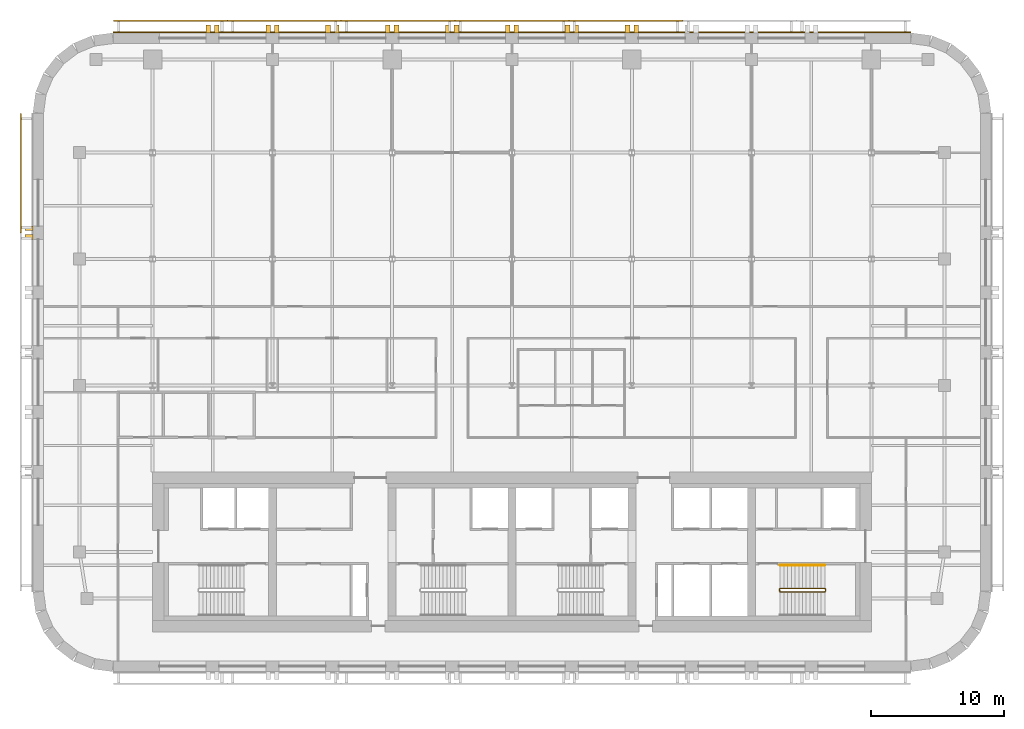
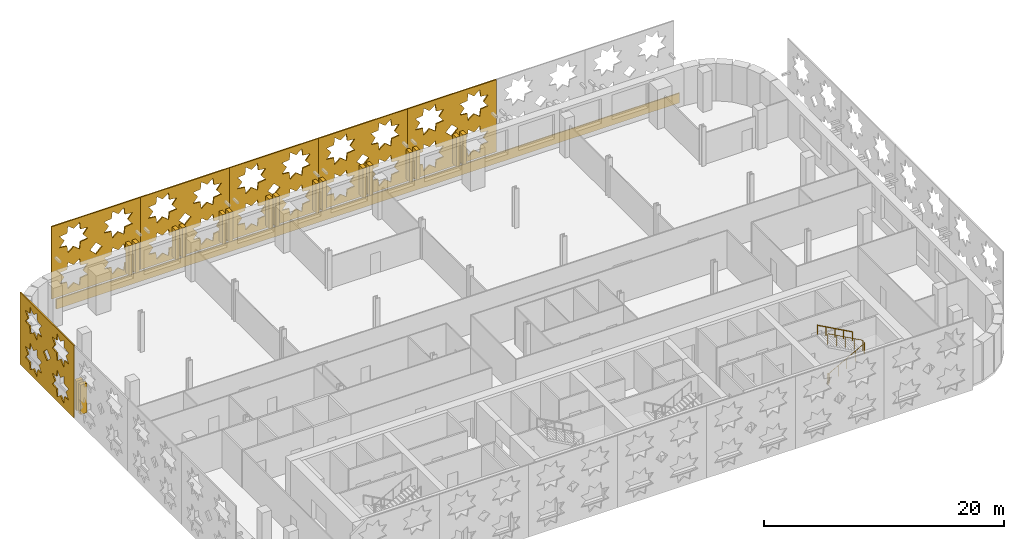
# One storey, part 11 of 12: 25 coverings, 2 railings.
"""IFC4 building model written with IfcOpenShell, lengths in metres."""

from ifc_helpers import new_model, si_unit, direction, frame, origin, origin_2d, place, context, subcontext, project, spatial, polyline, circle, outline, extrude, material, layer, layer_set, type_object, element, save


model = new_model("IFC4")

# Units and contexts
model_context = context("Model", 3, precision=1e-05, world=origin(), true_north=direction((0.0, 1.0)))
body_context = subcontext(model_context, "Body", "Model", "MODEL_VIEW")
ifc_project = project(units=[si_unit("LENGTHUNIT", "METRE"), si_unit("AREAUNIT", "SQUARE_METRE"), si_unit("VOLUMEUNIT", "CUBIC_METRE"), si_unit("PLANEANGLEUNIT", "RADIAN"), si_unit("MASSUNIT", "GRAM", prefix="KILO")], contexts=[model_context])

# Site, building, storey
site_placement = place(None, origin())
site = spatial("IfcSite", under=ifc_project, at=site_placement, CompositionType="ELEMENT")
building_placement = place(site_placement, origin())
building = spatial("IfcBuilding", under=site, at=building_placement, Name="Zellij Exchange Tower", CompositionType="ELEMENT")
storey_placement = place(building_placement, frame((0.0, 0.0, 196.5)))
storey = spatial("IfcBuildingStorey", under=building, at=storey_placement, Name="L45", CompositionType="ELEMENT", Elevation=196.5)

# Railings
ifc_material_1 = material(Name="Stainless steel", Category="steel")
railing_type_1 = type_object("IfcRailingType", Name="CORE-RG stair guard", PredefinedType="GUARDRAIL", material=ifc_material_1)
railing_1_placement = place(storey_placement, frame((20.10009765625, -10.949951171875, 0.0)))
element("IfcRailing", 1, at=railing_1_placement, inside=storey, type_object=railing_type_1, Name="ST4 stair guard L45", PredefinedType="GUARDRAIL", context=body_context, shape_type="SweptSolid", body=[
    extrude(circle(Radius=0.02392578125, at=origin_2d()), frame((0.0, 0.0, 1.076171875), z_axis=(0.0, 1.0, 0.0), x_axis=(-1.0, 0.0, 0.0)), (0.0, 0.0, 1.0), 0.14990234375),
    extrude(circle(Radius=0.02392578125, at=origin_2d()), frame((0.0, 0.14990234375, 1.076171875), z_axis=(0.193691321961, -0.777613689637, 0.598164376644), x_axis=(0.970351222016, 0.241699205484, 0.0)), (0.0, 0.0, 1.0), 0.257080078125),
    extrude(circle(Radius=0.02392578125, at=origin_2d()), frame((0.0498046875, -0.050048828125, 1.22998046875), z_axis=(0.876421534553, 0.0, 0.481544695509), x_axis=(0.0, 1.0, 0.0)), (0.0, 0.0, 1.0), 3.833984375),
    extrude(circle(Radius=0.02392578125, at=origin_2d()), frame((3.409912109375, -0.050048828125, 3.076171875), z_axis=(0.707106781187, 0.707106781187, 0.0), x_axis=(-0.707106781187, 0.707106781187, 0.0)), (0.0, 0.0, 1.0), 0.07080078125),
    extrude(circle(Radius=0.02392578125, at=origin_2d()), frame((3.4599609375, 0.0, 3.076171875), z_axis=(0.0, 1.0, 0.0), x_axis=(-1.0, 0.0, 0.0)), (0.0, 0.0, 1.0), 0.14990234375),
    extrude(circle(Radius=0.02392578125, at=origin_2d()), frame((3.4599609375, 0.14990234375, 3.076171875), z_axis=(-0.295599637079, 0.295599637079, 0.908428152975), x_axis=(-0.707106781187, -0.707106781187, 0.0)), (0.0, 0.0, 1.0), 0.16943359375),
    extrude(circle(Radius=0.02392578125, at=origin_2d()), frame((3.409912109375, 0.199951171875, 3.22998046875), z_axis=(-0.876421534553, 0.0, 0.481544695509), x_axis=(0.0, -1.0, 0.0)), (0.0, 0.0, 1.0), 3.833984375),
    extrude(circle(Radius=0.02099609375, at=origin_2d()), origin(), (0.0, 0.0, 1.0), 1.052001953125),
    extrude(circle(Radius=0.02099609375, at=origin_2d()), frame((0.0, 0.14990234375, 0.0)), (0.0, 0.0, 1.0), 1.052001953125),
    extrude(circle(Radius=0.02099609375, at=origin_2d()), frame((0.0498046875, -0.050048828125, 0.15380859375)), (0.0, 0.0, 1.0), 1.052001953125),
    extrude(circle(Radius=0.02099609375, at=origin_2d()), frame((0.889892578125, -0.050048828125, 0.615234375)), (0.0, 0.0, 1.0), 1.052001953125),
    extrude(circle(Radius=0.02099609375, at=origin_2d()), frame((1.72998046875, -0.050048828125, 1.076904296875)), (0.0, 0.0, 1.0), 1.052001953125),
    extrude(circle(Radius=0.02099609375, at=origin_2d()), frame((2.56982421875, -0.050048828125, 1.53857421875)), (0.0, 0.0, 1.0), 1.052001953125),
    extrude(circle(Radius=0.02099609375, at=origin_2d()), frame((3.409912109375, -0.050048828125, 2.0)), (0.0, 0.0, 1.0), 1.052001953125),
    extrude(circle(Radius=0.02099609375, at=origin_2d()), frame((3.4599609375, 0.0, 2.0)), (0.0, 0.0, 1.0), 1.052001953125),
    extrude(circle(Radius=0.02099609375, at=origin_2d()), frame((3.4599609375, 0.14990234375, 2.0)), (0.0, 0.0, 1.0), 1.052001953125),
    extrude(circle(Radius=0.02099609375, at=origin_2d()), frame((3.409912109375, 0.199951171875, 2.15380859375)), (0.0, 0.0, 1.0), 1.052001953125),
    extrude(circle(Radius=0.02099609375, at=origin_2d()), frame((2.56982421875, 0.199951171875, 2.615234375)), (0.0, 0.0, 1.0), 1.052001953125),
    extrude(circle(Radius=0.02099609375, at=origin_2d()), frame((1.72998046875, 0.199951171875, 3.076904296875)), (0.0, 0.0, 1.0), 1.052001953125),
    extrude(circle(Radius=0.02099609375, at=origin_2d()), frame((0.889892578125, 0.199951171875, 3.53857421875)), (0.0, 0.0, 1.0), 1.052001953125),
    extrude(circle(Radius=0.02099609375, at=origin_2d()), frame((0.0498046875, 0.199951171875, 4.0)), (0.0, 0.0, 1.0), 1.052001953125),
])
railing_type_2 = type_object("IfcRailingType", Name="CORE-RH stair handrail", PredefinedType="HANDRAIL", material=ifc_material_1)
railing_2_placement = place(storey_placement, frame((23.510009765625, -9.0, 2.15380859375)))
element("IfcRailing", 2, at=railing_2_placement, inside=storey, type_object=railing_type_2, Name="ST4 stair handrail L45", PredefinedType="HANDRAIL", context=body_context, shape_type="SweptSolid", body=[
    extrude(circle(Radius=0.02392578125, at=origin_2d()), frame((0.0, 0.0, 0.8759765625), z_axis=(-0.876421534553, 0.0, 0.481544695509), x_axis=(0.0, -1.0, 0.0)), (0.0, 0.0, 1.0), 3.833984375),
    extrude(circle(Radius=0.02099609375, at=origin_2d()), origin(), (0.0, 0.0, 1.0), 0.851806640625),
    extrude(circle(Radius=0.02099609375, at=origin_2d()), frame((-0.840087890625, 0.0, 0.46142578125)), (0.0, 0.0, 1.0), 0.851806640625),
    extrude(circle(Radius=0.02099609375, at=origin_2d()), frame((-1.68017578125, 0.0, 0.923095703125)), (0.0, 0.0, 1.0), 0.851806640625),
    extrude(circle(Radius=0.02099609375, at=origin_2d()), frame((-2.52001953125, 0.0, 1.384765625)), (0.0, 0.0, 1.0), 0.851806640625),
    extrude(circle(Radius=0.02099609375, at=origin_2d()), frame((-3.360107421875, 0.0, 1.84619140625)), (0.0, 0.0, 1.0), 0.851806640625),
])

# Coverings
ifc_material_2 = material(Name="Limestone cladding", Category="masonry")
covering_type_1 = type_object("IfcCoveringType", Name="ENV-CV3 Stone pier 350x600", PredefinedType="CLADDING", material=ifc_material_2)
covering_1_placement = place(storey_placement, frame((0.0, 0.0, 0.800048828125)))
element("IfcCovering", 3, at=covering_1_placement, inside=storey, type_object=covering_type_1, Name="Stone pier", PredefinedType="CLADDING", context=body_context, shape_type="SweptSolid", body=[
    extrude(outline(polyline([(9.5, 31.0), (9.14990234375, 31.0), (9.14990234375, 31.60009765625), (9.5, 31.60009765625), (9.5, 31.0)])), origin(), (0.0, 0.0, 1.0), 3.0),
])
covering_2_placement = place(storey_placement, frame((0.0, 0.0, 0.800048828125)))
element("IfcCovering", 4, at=covering_2_placement, inside=storey, type_object=covering_type_1, Name="Stone pier", PredefinedType="CLADDING", context=body_context, shape_type="SweptSolid", body=[
    extrude(outline(polyline([(8.85009765625, 31.0), (8.5, 31.0), (8.5, 31.60009765625), (8.85009765625, 31.60009765625), (8.85009765625, 31.0)])), origin(), (0.0, 0.0, 1.0), 3.0),
])
covering_3_placement = place(storey_placement, frame((0.0, 0.0, 0.800048828125)))
element("IfcCovering", 5, at=covering_3_placement, inside=storey, type_object=covering_type_1, Name="Stone pier", PredefinedType="CLADDING", context=body_context, shape_type="SweptSolid", body=[
    extrude(outline(polyline([(5.0, 31.0), (4.64990234375, 31.0), (4.64990234375, 31.60009765625), (5.0, 31.60009765625), (5.0, 31.0)])), origin(), (0.0, 0.0, 1.0), 3.0),
])
covering_4_placement = place(storey_placement, frame((0.0, 0.0, 0.800048828125)))
element("IfcCovering", 6, at=covering_4_placement, inside=storey, type_object=covering_type_1, Name="Stone pier", PredefinedType="CLADDING", context=body_context, shape_type="SweptSolid", body=[
    extrude(outline(polyline([(4.35009765625, 31.0), (4.0, 31.0), (4.0, 31.60009765625), (4.35009765625, 31.60009765625), (4.35009765625, 31.0)])), origin(), (0.0, 0.0, 1.0), 3.0),
])
covering_5_placement = place(storey_placement, frame((0.0, 0.0, 0.800048828125)))
element("IfcCovering", 7, at=covering_5_placement, inside=storey, type_object=covering_type_1, Name="Stone pier", PredefinedType="CLADDING", context=body_context, shape_type="SweptSolid", body=[
    extrude(outline(polyline([(0.5, 31.0), (0.14990234375, 31.0), (0.14990234375, 31.60009765625), (0.5, 31.60009765625), (0.5, 31.0)])), origin(), (0.0, 0.0, 1.0), 3.0),
])
covering_6_placement = place(storey_placement, frame((0.0, 0.0, 0.800048828125)))
element("IfcCovering", 8, at=covering_6_placement, inside=storey, type_object=covering_type_1, Name="Stone pier", PredefinedType="CLADDING", context=body_context, shape_type="SweptSolid", body=[
    extrude(outline(polyline([(-0.14990234375, 31.0), (-0.5, 31.0), (-0.5, 31.60009765625), (-0.14990234375, 31.60009765625), (-0.14990234375, 31.0)])), origin(), (0.0, 0.0, 1.0), 3.0),
])
covering_7_placement = place(storey_placement, frame((0.0, 0.0, 0.800048828125)))
element("IfcCovering", 9, at=covering_7_placement, inside=storey, type_object=covering_type_1, Name="Stone pier", PredefinedType="CLADDING", context=body_context, shape_type="SweptSolid", body=[
    extrude(outline(polyline([(-4.0, 31.0), (-4.35009765625, 31.0), (-4.35009765625, 31.60009765625), (-4.0, 31.60009765625), (-4.0, 31.0)])), origin(), (0.0, 0.0, 1.0), 3.0),
])
covering_8_placement = place(storey_placement, frame((0.0, 0.0, 0.800048828125)))
element("IfcCovering", 10, at=covering_8_placement, inside=storey, type_object=covering_type_1, Name="Stone pier", PredefinedType="CLADDING", context=body_context, shape_type="SweptSolid", body=[
    extrude(outline(polyline([(-4.64990234375, 31.0), (-5.0, 31.0), (-5.0, 31.60009765625), (-4.64990234375, 31.60009765625), (-4.64990234375, 31.0)])), origin(), (0.0, 0.0, 1.0), 3.0),
])
covering_9_placement = place(storey_placement, frame((0.0, 0.0, 0.800048828125)))
element("IfcCovering", 11, at=covering_9_placement, inside=storey, type_object=covering_type_1, Name="Stone pier", PredefinedType="CLADDING", context=body_context, shape_type="SweptSolid", body=[
    extrude(outline(polyline([(-8.5, 31.0), (-8.85009765625, 31.0), (-8.85009765625, 31.60009765625), (-8.5, 31.60009765625), (-8.5, 31.0)])), origin(), (0.0, 0.0, 1.0), 3.0),
])
covering_10_placement = place(storey_placement, frame((0.0, 0.0, 0.800048828125)))
element("IfcCovering", 12, at=covering_10_placement, inside=storey, type_object=covering_type_1, Name="Stone pier", PredefinedType="CLADDING", context=body_context, shape_type="SweptSolid", body=[
    extrude(outline(polyline([(-9.14990234375, 31.0), (-9.5, 31.0), (-9.5, 31.60009765625), (-9.14990234375, 31.60009765625), (-9.14990234375, 31.0)])), origin(), (0.0, 0.0, 1.0), 3.0),
])
covering_11_placement = place(storey_placement, frame((0.0, 0.0, 0.800048828125)))
element("IfcCovering", 13, at=covering_11_placement, inside=storey, type_object=covering_type_1, Name="Stone pier", PredefinedType="CLADDING", context=body_context, shape_type="SweptSolid", body=[
    extrude(outline(polyline([(-13.0, 31.0), (-13.35009765625, 31.0), (-13.35009765625, 31.60009765625), (-13.0, 31.60009765625), (-13.0, 31.0)])), origin(), (0.0, 0.0, 1.0), 3.0),
])
covering_12_placement = place(storey_placement, frame((0.0, 0.0, 0.800048828125)))
element("IfcCovering", 14, at=covering_12_placement, inside=storey, type_object=covering_type_1, Name="Stone pier", PredefinedType="CLADDING", context=body_context, shape_type="SweptSolid", body=[
    extrude(outline(polyline([(-13.64990234375, 31.0), (-14.0, 31.0), (-14.0, 31.60009765625), (-13.64990234375, 31.60009765625), (-13.64990234375, 31.0)])), origin(), (0.0, 0.0, 1.0), 3.0),
])
covering_13_placement = place(storey_placement, frame((0.0, 0.0, 0.800048828125)))
element("IfcCovering", 15, at=covering_13_placement, inside=storey, type_object=covering_type_1, Name="Stone pier", PredefinedType="CLADDING", context=body_context, shape_type="SweptSolid", body=[
    extrude(outline(polyline([(-17.5, 31.0), (-17.85009765625, 31.0), (-17.85009765625, 31.60009765625), (-17.5, 31.60009765625), (-17.5, 31.0)])), origin(), (0.0, 0.0, 1.0), 3.0),
])
covering_14_placement = place(storey_placement, frame((0.0, 0.0, 0.800048828125)))
element("IfcCovering", 16, at=covering_14_placement, inside=storey, type_object=covering_type_1, Name="Stone pier", PredefinedType="CLADDING", context=body_context, shape_type="SweptSolid", body=[
    extrude(outline(polyline([(-18.14990234375, 31.0), (-18.5, 31.0), (-18.5, 31.60009765625), (-18.14990234375, 31.60009765625), (-18.14990234375, 31.0)])), origin(), (0.0, 0.0, 1.0), 3.0),
])
covering_15_placement = place(storey_placement, frame((0.0, 0.0, 0.800048828125)))
element("IfcCovering", 17, at=covering_15_placement, inside=storey, type_object=covering_type_1, Name="Stone pier", PredefinedType="CLADDING", context=body_context, shape_type="SweptSolid", body=[
    extrude(outline(polyline([(-22.0, 31.0), (-22.35009765625, 31.0), (-22.35009765625, 31.60009765625), (-22.0, 31.60009765625), (-22.0, 31.0)])), origin(), (0.0, 0.0, 1.0), 3.0),
])
covering_16_placement = place(storey_placement, frame((0.0, 0.0, 0.800048828125)))
element("IfcCovering", 18, at=covering_16_placement, inside=storey, type_object=covering_type_1, Name="Stone pier", PredefinedType="CLADDING", context=body_context, shape_type="SweptSolid", body=[
    extrude(outline(polyline([(-22.64990234375, 31.0), (-23.0, 31.0), (-23.0, 31.60009765625), (-22.64990234375, 31.60009765625), (-22.64990234375, 31.0)])), origin(), (0.0, 0.0, 1.0), 3.0),
])
covering_17_placement = place(storey_placement, frame((0.0, 0.0, 0.800048828125)))
element("IfcCovering", 19, at=covering_17_placement, inside=storey, type_object=covering_type_1, Name="Stone pier", PredefinedType="CLADDING", context=body_context, shape_type="SweptSolid", body=[
    extrude(outline(polyline([(-36.0, 16.48681640625), (-36.0, 16.136962890625), (-36.60009765625, 16.136962890625), (-36.60009765625, 16.48681640625), (-36.0, 16.48681640625)])), origin(), (0.0, 0.0, 1.0), 3.0),
])
covering_18_placement = place(storey_placement, frame((0.0, 0.0, 0.800048828125)))
element("IfcCovering", 20, at=covering_18_placement, inside=storey, type_object=covering_type_1, Name="Stone pier", PredefinedType="CLADDING", context=body_context, shape_type="SweptSolid", body=[
    extrude(outline(polyline([(-36.0, 15.8369140625), (-36.0, 15.48681640625), (-36.60009765625, 15.48681640625), (-36.60009765625, 15.8369140625), (-36.0, 15.8369140625)])), origin(), (0.0, 0.0, 1.0), 3.0),
])
ifc_layer_1 = layer(ifc_material_2, 0.10009765625)
ifc_layer_set_1 = layer_set([ifc_layer_1], Name="Limestone cladding")
covering_type_2 = type_object("IfcCoveringType", Name="ENV-CV9 Stone spandrel band 100", PredefinedType="CLADDING", material=ifc_layer_set_1)
covering_19_placement = place(storey_placement, frame((0.0, 0.0, -0.199951171875)))
element("IfcCovering", 21, at=covering_19_placement, inside=storey, type_object=covering_type_2, Name="Stone spandrel band", PredefinedType="CLADDING", context=body_context, shape_type="SweptSolid", body=[
    extrude(outline(polyline([(29.973876953125, 31.0), (-29.973876953125, 31.0), (-29.980224609375, 31.10009765625), (29.980224609375, 31.10009765625), (29.973876953125, 31.0)])), origin(), (0.0, 0.0, 1.0), 1.0),
])
ifc_material_3 = material(Name="Limestone screen", Category="masonry")
ifc_layer_2 = layer(ifc_material_3, 0.1201171875)
ifc_layer_set_2 = layer_set([ifc_layer_2], Name="Limestone screen")
covering_type_3 = type_object("IfcCoveringType", Name="ENV-SC1 Pierced stone screen 120", PredefinedType="USERDEFINED", material=ifc_layer_set_2)
covering_20_placement = place(storey_placement, frame((-36.909912109375, 24.947509765625, 0.300048828125), z_axis=(0.0, 0.0, 1.0), x_axis=(0.0, -1.0, 0.0)))
element("IfcCovering", 22, at=covering_20_placement, inside=storey, type_object=covering_type_3, Name="Pierced stone screen", ObjectType="SCREEN", PredefinedType="USERDEFINED", context=body_context, shape_type="SweptSolid", body=[
    extrude(outline(polyline([(0.0, 0.0), (8.973876953125, 0.0), (8.973876953125, 7.35009765625), (0.0, 7.35009765625), (0.0, 0.0)]), holes=[polyline([(3.6015625, 2.39990234375), (2.887939453125, 2.48193359375), (2.805908203125, 3.195556640625), (2.243408203125, 2.748779296875), (1.680908203125, 3.195556640625), (1.59912109375, 2.48193359375), (0.88525390625, 2.39990234375), (1.33203125, 1.83740234375), (0.88525390625, 1.27490234375), (1.59912109375, 1.193115234375), (1.680908203125, 0.4794921875), (2.243408203125, 0.926025390625), (2.805908203125, 0.4794921875), (2.887939453125, 1.193115234375), (3.6015625, 1.27490234375), (3.15478515625, 1.83740234375), (3.6015625, 2.39990234375)]), polyline([(3.6015625, 6.074951171875), (2.887939453125, 6.156982421875), (2.805908203125, 6.87060546875), (2.243408203125, 6.423828125), (1.680908203125, 6.87060546875), (1.59912109375, 6.156982421875), (0.88525390625, 6.074951171875), (1.33203125, 5.512451171875), (0.88525390625, 4.949951171875), (1.59912109375, 4.867919921875), (1.680908203125, 4.154296875), (2.243408203125, 4.60107421875), (2.805908203125, 4.154296875), (2.887939453125, 4.867919921875), (3.6015625, 4.949951171875), (3.15478515625, 5.512451171875), (3.6015625, 6.074951171875)]), polyline([(8.08837890625, 2.39990234375), (7.374755859375, 2.48193359375), (7.29296875, 3.195556640625), (6.730224609375, 2.748779296875), (6.167724609375, 3.195556640625), (6.0859375, 2.48193359375), (5.372314453125, 2.39990234375), (5.81884765625, 1.83740234375), (5.372314453125, 1.27490234375), (6.0859375, 1.193115234375), (6.167724609375, 0.4794921875), (6.730224609375, 0.926025390625), (7.29296875, 0.4794921875), (7.374755859375, 1.193115234375), (8.08837890625, 1.27490234375), (7.6416015625, 1.83740234375), (8.08837890625, 2.39990234375)]), polyline([(8.08837890625, 6.074951171875), (7.374755859375, 6.156982421875), (7.29296875, 6.87060546875), (6.730224609375, 6.423828125), (6.167724609375, 6.87060546875), (6.0859375, 6.156982421875), (5.372314453125, 6.074951171875), (5.81884765625, 5.512451171875), (5.372314453125, 4.949951171875), (6.0859375, 4.867919921875), (6.167724609375, 4.154296875), (6.730224609375, 4.60107421875), (7.29296875, 4.154296875), (7.374755859375, 4.867919921875), (8.08837890625, 4.949951171875), (7.6416015625, 5.512451171875), (8.08837890625, 6.074951171875)]), polyline([(5.074951171875, 3.675048828125), (4.48681640625, 4.262939453125), (3.89892578125, 3.675048828125), (4.48681640625, 3.0869140625), (5.074951171875, 3.675048828125)])]), frame((0.0, 0.06005859375, 0.0), z_axis=(0.0, -1.0, 0.0), x_axis=(1.0, 0.0, 0.0)), (0.0, 0.0, 1.0), 0.1201171875),
])
covering_21_placement = place(storey_placement, frame((12.834716796875, 31.909912109375, 0.300048828125), z_axis=(0.0, 0.0, 1.0), x_axis=(-1.0, 0.0, 0.0)))
element("IfcCovering", 23, at=covering_21_placement, inside=storey, type_object=covering_type_3, Name="Pierced stone screen", ObjectType="SCREEN", PredefinedType="USERDEFINED", context=body_context, shape_type="SweptSolid", body=[
    extrude(outline(polyline([(0.0, 0.0), (8.556396484375, 0.0), (8.556396484375, 7.35009765625), (0.0, 7.35009765625), (0.0, 0.0)]), holes=[polyline([(3.497314453125, 2.39990234375), (2.78369140625, 2.48193359375), (2.70166015625, 3.195556640625), (2.13916015625, 2.748779296875), (1.57666015625, 3.195556640625), (1.49462890625, 2.48193359375), (0.781005859375, 2.39990234375), (1.227783203125, 1.83740234375), (0.781005859375, 1.27490234375), (1.49462890625, 1.193115234375), (1.57666015625, 0.4794921875), (2.13916015625, 0.926025390625), (2.70166015625, 0.4794921875), (2.78369140625, 1.193115234375), (3.497314453125, 1.27490234375), (3.050537109375, 1.83740234375), (3.497314453125, 2.39990234375)]), polyline([(3.497314453125, 6.074951171875), (2.78369140625, 6.156982421875), (2.70166015625, 6.87060546875), (2.13916015625, 6.423828125), (1.57666015625, 6.87060546875), (1.49462890625, 6.156982421875), (0.781005859375, 6.074951171875), (1.227783203125, 5.512451171875), (0.781005859375, 4.949951171875), (1.49462890625, 4.867919921875), (1.57666015625, 4.154296875), (2.13916015625, 4.60107421875), (2.70166015625, 4.154296875), (2.78369140625, 4.867919921875), (3.497314453125, 4.949951171875), (3.050537109375, 5.512451171875), (3.497314453125, 6.074951171875)]), polyline([(7.775390625, 2.39990234375), (7.061767578125, 2.48193359375), (6.97998046875, 3.195556640625), (6.417236328125, 2.748779296875), (5.854736328125, 3.195556640625), (5.77294921875, 2.48193359375), (5.05908203125, 2.39990234375), (5.505859375, 1.83740234375), (5.05908203125, 1.27490234375), (5.77294921875, 1.193115234375), (5.854736328125, 0.4794921875), (6.417236328125, 0.926025390625), (6.97998046875, 0.4794921875), (7.061767578125, 1.193115234375), (7.775390625, 1.27490234375), (7.32861328125, 1.83740234375), (7.775390625, 2.39990234375)]), polyline([(7.775390625, 6.074951171875), (7.061767578125, 6.156982421875), (6.97998046875, 6.87060546875), (6.417236328125, 6.423828125), (5.854736328125, 6.87060546875), (5.77294921875, 6.156982421875), (5.05908203125, 6.074951171875), (5.505859375, 5.512451171875), (5.05908203125, 4.949951171875), (5.77294921875, 4.867919921875), (5.854736328125, 4.154296875), (6.417236328125, 4.60107421875), (6.97998046875, 4.154296875), (7.061767578125, 4.867919921875), (7.775390625, 4.949951171875), (7.32861328125, 5.512451171875), (7.775390625, 6.074951171875)]), polyline([(4.8662109375, 3.675048828125), (4.2783203125, 4.262939453125), (3.690185546875, 3.675048828125), (4.2783203125, 3.0869140625), (4.8662109375, 3.675048828125)])]), frame((0.0, 0.06005859375, 0.0), z_axis=(0.0, -1.0, 0.0), x_axis=(1.0, 0.0, 0.0)), (0.0, 0.0, 1.0), 0.1201171875),
])
covering_22_placement = place(storey_placement, frame((4.2783203125, 31.909912109375, 0.300048828125), z_axis=(0.0, 0.0, 1.0), x_axis=(-1.0, 0.0, 0.0)))
element("IfcCovering", 24, at=covering_22_placement, inside=storey, type_object=covering_type_3, Name="Pierced stone screen", ObjectType="SCREEN", PredefinedType="USERDEFINED", context=body_context, shape_type="SweptSolid", body=[
    extrude(outline(polyline([(0.0, 0.0), (8.556396484375, 0.0), (8.556396484375, 7.35009765625), (0.0, 7.35009765625), (0.0, 0.0)]), holes=[polyline([(3.497314453125, 2.39990234375), (2.78369140625, 2.48193359375), (2.70166015625, 3.195556640625), (2.13916015625, 2.748779296875), (1.57666015625, 3.195556640625), (1.49462890625, 2.48193359375), (0.781005859375, 2.39990234375), (1.227783203125, 1.83740234375), (0.781005859375, 1.27490234375), (1.49462890625, 1.193115234375), (1.57666015625, 0.4794921875), (2.13916015625, 0.926025390625), (2.70166015625, 0.4794921875), (2.78369140625, 1.193115234375), (3.497314453125, 1.27490234375), (3.050537109375, 1.83740234375), (3.497314453125, 2.39990234375)]), polyline([(3.497314453125, 6.074951171875), (2.78369140625, 6.156982421875), (2.70166015625, 6.87060546875), (2.13916015625, 6.423828125), (1.57666015625, 6.87060546875), (1.49462890625, 6.156982421875), (0.781005859375, 6.074951171875), (1.227783203125, 5.512451171875), (0.781005859375, 4.949951171875), (1.49462890625, 4.867919921875), (1.57666015625, 4.154296875), (2.13916015625, 4.60107421875), (2.70166015625, 4.154296875), (2.78369140625, 4.867919921875), (3.497314453125, 4.949951171875), (3.050537109375, 5.512451171875), (3.497314453125, 6.074951171875)]), polyline([(7.775390625, 2.39990234375), (7.061767578125, 2.48193359375), (6.97998046875, 3.195556640625), (6.417236328125, 2.748779296875), (5.854736328125, 3.195556640625), (5.77294921875, 2.48193359375), (5.05908203125, 2.39990234375), (5.505859375, 1.83740234375), (5.05908203125, 1.27490234375), (5.77294921875, 1.193115234375), (5.854736328125, 0.4794921875), (6.417236328125, 0.926025390625), (6.97998046875, 0.4794921875), (7.061767578125, 1.193115234375), (7.775390625, 1.27490234375), (7.32861328125, 1.83740234375), (7.775390625, 2.39990234375)]), polyline([(7.775390625, 6.074951171875), (7.061767578125, 6.156982421875), (6.97998046875, 6.87060546875), (6.417236328125, 6.423828125), (5.854736328125, 6.87060546875), (5.77294921875, 6.156982421875), (5.05908203125, 6.074951171875), (5.505859375, 5.512451171875), (5.05908203125, 4.949951171875), (5.77294921875, 4.867919921875), (5.854736328125, 4.154296875), (6.417236328125, 4.60107421875), (6.97998046875, 4.154296875), (7.061767578125, 4.867919921875), (7.775390625, 4.949951171875), (7.32861328125, 5.512451171875), (7.775390625, 6.074951171875)]), polyline([(4.8662109375, 3.675048828125), (4.2783203125, 4.262939453125), (3.690185546875, 3.675048828125), (4.2783203125, 3.0869140625), (4.8662109375, 3.675048828125)])]), frame((0.0, 0.06005859375, 0.0), z_axis=(0.0, -1.0, 0.0), x_axis=(1.0, 0.0, 0.0)), (0.0, 0.0, 1.0), 0.1201171875),
])
covering_23_placement = place(storey_placement, frame((-4.2783203125, 31.909912109375, 0.300048828125), z_axis=(0.0, 0.0, 1.0), x_axis=(-1.0, 0.0, 0.0)))
element("IfcCovering", 25, at=covering_23_placement, inside=storey, type_object=covering_type_3, Name="Pierced stone screen", ObjectType="SCREEN", PredefinedType="USERDEFINED", context=body_context, shape_type="SweptSolid", body=[
    extrude(outline(polyline([(0.0, 0.0), (8.556396484375, 0.0), (8.556396484375, 7.35009765625), (0.0, 7.35009765625), (0.0, 0.0)]), holes=[polyline([(3.497314453125, 2.39990234375), (2.78369140625, 2.48193359375), (2.70166015625, 3.195556640625), (2.13916015625, 2.748779296875), (1.57666015625, 3.195556640625), (1.49462890625, 2.48193359375), (0.781005859375, 2.39990234375), (1.227783203125, 1.83740234375), (0.781005859375, 1.27490234375), (1.49462890625, 1.193115234375), (1.57666015625, 0.4794921875), (2.13916015625, 0.926025390625), (2.70166015625, 0.4794921875), (2.78369140625, 1.193115234375), (3.497314453125, 1.27490234375), (3.050537109375, 1.83740234375), (3.497314453125, 2.39990234375)]), polyline([(3.497314453125, 6.074951171875), (2.78369140625, 6.156982421875), (2.70166015625, 6.87060546875), (2.13916015625, 6.423828125), (1.57666015625, 6.87060546875), (1.49462890625, 6.156982421875), (0.781005859375, 6.074951171875), (1.227783203125, 5.512451171875), (0.781005859375, 4.949951171875), (1.49462890625, 4.867919921875), (1.57666015625, 4.154296875), (2.13916015625, 4.60107421875), (2.70166015625, 4.154296875), (2.78369140625, 4.867919921875), (3.497314453125, 4.949951171875), (3.050537109375, 5.512451171875), (3.497314453125, 6.074951171875)]), polyline([(7.775390625, 2.39990234375), (7.061767578125, 2.48193359375), (6.97998046875, 3.195556640625), (6.417236328125, 2.748779296875), (5.854736328125, 3.195556640625), (5.77294921875, 2.48193359375), (5.05908203125, 2.39990234375), (5.505859375, 1.83740234375), (5.05908203125, 1.27490234375), (5.77294921875, 1.193115234375), (5.854736328125, 0.4794921875), (6.417236328125, 0.926025390625), (6.97998046875, 0.4794921875), (7.061767578125, 1.193115234375), (7.775390625, 1.27490234375), (7.32861328125, 1.83740234375), (7.775390625, 2.39990234375)]), polyline([(7.775390625, 6.074951171875), (7.061767578125, 6.156982421875), (6.97998046875, 6.87060546875), (6.417236328125, 6.423828125), (5.854736328125, 6.87060546875), (5.77294921875, 6.156982421875), (5.05908203125, 6.074951171875), (5.505859375, 5.512451171875), (5.05908203125, 4.949951171875), (5.77294921875, 4.867919921875), (5.854736328125, 4.154296875), (6.417236328125, 4.60107421875), (6.97998046875, 4.154296875), (7.061767578125, 4.867919921875), (7.775390625, 4.949951171875), (7.32861328125, 5.512451171875), (7.775390625, 6.074951171875)]), polyline([(4.8662109375, 3.675048828125), (4.2783203125, 4.262939453125), (3.690185546875, 3.675048828125), (4.2783203125, 3.0869140625), (4.8662109375, 3.675048828125)])]), frame((0.0, 0.06005859375, 0.0), z_axis=(0.0, -1.0, 0.0), x_axis=(1.0, 0.0, 0.0)), (0.0, 0.0, 1.0), 0.1201171875),
])
covering_24_placement = place(storey_placement, frame((-12.834716796875, 31.909912109375, 0.300048828125), z_axis=(0.0, 0.0, 1.0), x_axis=(-1.0, 0.0, 0.0)))
element("IfcCovering", 26, at=covering_24_placement, inside=storey, type_object=covering_type_3, Name="Pierced stone screen", ObjectType="SCREEN", PredefinedType="USERDEFINED", context=body_context, shape_type="SweptSolid", body=[
    extrude(outline(polyline([(0.0, 0.0), (8.556396484375, 0.0), (8.556396484375, 7.35009765625), (0.0, 7.35009765625), (0.0, 0.0)]), holes=[polyline([(3.497314453125, 2.39990234375), (2.78369140625, 2.48193359375), (2.70166015625, 3.195556640625), (2.13916015625, 2.748779296875), (1.57666015625, 3.195556640625), (1.49462890625, 2.48193359375), (0.781005859375, 2.39990234375), (1.227783203125, 1.83740234375), (0.781005859375, 1.27490234375), (1.49462890625, 1.193115234375), (1.57666015625, 0.4794921875), (2.13916015625, 0.926025390625), (2.70166015625, 0.4794921875), (2.78369140625, 1.193115234375), (3.497314453125, 1.27490234375), (3.050537109375, 1.83740234375), (3.497314453125, 2.39990234375)]), polyline([(3.497314453125, 6.074951171875), (2.78369140625, 6.156982421875), (2.70166015625, 6.87060546875), (2.13916015625, 6.423828125), (1.57666015625, 6.87060546875), (1.49462890625, 6.156982421875), (0.781005859375, 6.074951171875), (1.227783203125, 5.512451171875), (0.781005859375, 4.949951171875), (1.49462890625, 4.867919921875), (1.57666015625, 4.154296875), (2.13916015625, 4.60107421875), (2.70166015625, 4.154296875), (2.78369140625, 4.867919921875), (3.497314453125, 4.949951171875), (3.050537109375, 5.512451171875), (3.497314453125, 6.074951171875)]), polyline([(7.775390625, 2.39990234375), (7.061767578125, 2.48193359375), (6.97998046875, 3.195556640625), (6.417236328125, 2.748779296875), (5.854736328125, 3.195556640625), (5.77294921875, 2.48193359375), (5.05908203125, 2.39990234375), (5.505859375, 1.83740234375), (5.05908203125, 1.27490234375), (5.77294921875, 1.193115234375), (5.854736328125, 0.4794921875), (6.417236328125, 0.926025390625), (6.97998046875, 0.4794921875), (7.061767578125, 1.193115234375), (7.775390625, 1.27490234375), (7.32861328125, 1.83740234375), (7.775390625, 2.39990234375)]), polyline([(7.775390625, 6.074951171875), (7.061767578125, 6.156982421875), (6.97998046875, 6.87060546875), (6.417236328125, 6.423828125), (5.854736328125, 6.87060546875), (5.77294921875, 6.156982421875), (5.05908203125, 6.074951171875), (5.505859375, 5.512451171875), (5.05908203125, 4.949951171875), (5.77294921875, 4.867919921875), (5.854736328125, 4.154296875), (6.417236328125, 4.60107421875), (6.97998046875, 4.154296875), (7.061767578125, 4.867919921875), (7.775390625, 4.949951171875), (7.32861328125, 5.512451171875), (7.775390625, 6.074951171875)]), polyline([(4.8662109375, 3.675048828125), (4.2783203125, 4.262939453125), (3.690185546875, 3.675048828125), (4.2783203125, 3.0869140625), (4.8662109375, 3.675048828125)])]), frame((0.0, 0.06005859375, 0.0), z_axis=(0.0, -1.0, 0.0), x_axis=(1.0, 0.0, 0.0)), (0.0, 0.0, 1.0), 0.1201171875),
])
covering_25_placement = place(storey_placement, frame((-21.39111328125, 31.909912109375, 0.300048828125), z_axis=(0.0, 0.0, 1.0), x_axis=(-1.0, 0.0, 0.0)))
element("IfcCovering", 27, at=covering_25_placement, inside=storey, type_object=covering_type_3, Name="Pierced stone screen", ObjectType="SCREEN", PredefinedType="USERDEFINED", context=body_context, shape_type="SweptSolid", body=[
    extrude(outline(polyline([(0.0, 0.0), (8.556396484375, 0.0), (8.556396484375, 7.35009765625), (0.0, 7.35009765625), (0.0, 0.0)]), holes=[polyline([(3.497314453125, 2.39990234375), (2.78369140625, 2.48193359375), (2.70166015625, 3.195556640625), (2.13916015625, 2.748779296875), (1.57666015625, 3.195556640625), (1.49462890625, 2.48193359375), (0.781005859375, 2.39990234375), (1.227783203125, 1.83740234375), (0.781005859375, 1.27490234375), (1.49462890625, 1.193115234375), (1.57666015625, 0.4794921875), (2.13916015625, 0.926025390625), (2.70166015625, 0.4794921875), (2.78369140625, 1.193115234375), (3.497314453125, 1.27490234375), (3.050537109375, 1.83740234375), (3.497314453125, 2.39990234375)]), polyline([(3.497314453125, 6.074951171875), (2.78369140625, 6.156982421875), (2.70166015625, 6.87060546875), (2.13916015625, 6.423828125), (1.57666015625, 6.87060546875), (1.49462890625, 6.156982421875), (0.781005859375, 6.074951171875), (1.227783203125, 5.512451171875), (0.781005859375, 4.949951171875), (1.49462890625, 4.867919921875), (1.57666015625, 4.154296875), (2.13916015625, 4.60107421875), (2.70166015625, 4.154296875), (2.78369140625, 4.867919921875), (3.497314453125, 4.949951171875), (3.050537109375, 5.512451171875), (3.497314453125, 6.074951171875)]), polyline([(7.775390625, 2.39990234375), (7.061767578125, 2.48193359375), (6.97998046875, 3.195556640625), (6.417236328125, 2.748779296875), (5.854736328125, 3.195556640625), (5.77294921875, 2.48193359375), (5.05908203125, 2.39990234375), (5.505859375, 1.83740234375), (5.05908203125, 1.27490234375), (5.77294921875, 1.193115234375), (5.854736328125, 0.4794921875), (6.417236328125, 0.926025390625), (6.97998046875, 0.4794921875), (7.061767578125, 1.193115234375), (7.775390625, 1.27490234375), (7.32861328125, 1.83740234375), (7.775390625, 2.39990234375)]), polyline([(7.775390625, 6.074951171875), (7.061767578125, 6.156982421875), (6.97998046875, 6.87060546875), (6.417236328125, 6.423828125), (5.854736328125, 6.87060546875), (5.77294921875, 6.156982421875), (5.05908203125, 6.074951171875), (5.505859375, 5.512451171875), (5.05908203125, 4.949951171875), (5.77294921875, 4.867919921875), (5.854736328125, 4.154296875), (6.417236328125, 4.60107421875), (6.97998046875, 4.154296875), (7.061767578125, 4.867919921875), (7.775390625, 4.949951171875), (7.32861328125, 5.512451171875), (7.775390625, 6.074951171875)]), polyline([(4.8662109375, 3.675048828125), (4.2783203125, 4.262939453125), (3.690185546875, 3.675048828125), (4.2783203125, 3.0869140625), (4.8662109375, 3.675048828125)])]), frame((0.0, 0.06005859375, 0.0), z_axis=(0.0, -1.0, 0.0), x_axis=(1.0, 0.0, 0.0)), (0.0, 0.0, 1.0), 0.1201171875),
])

save(model, "model.ifc")
